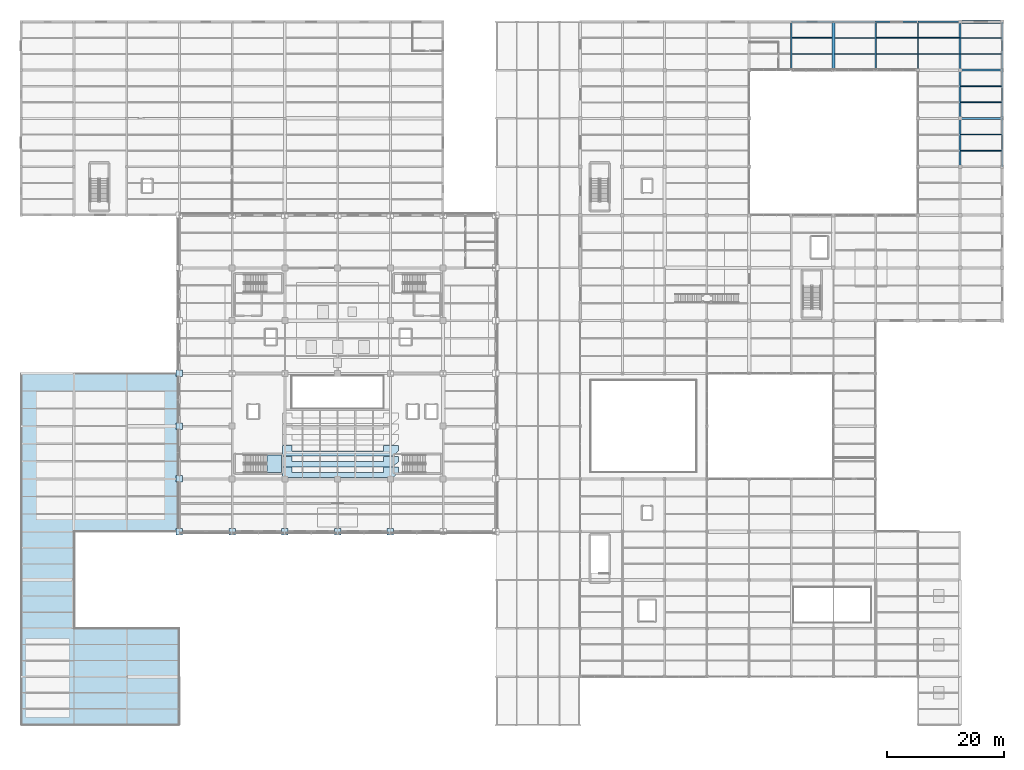
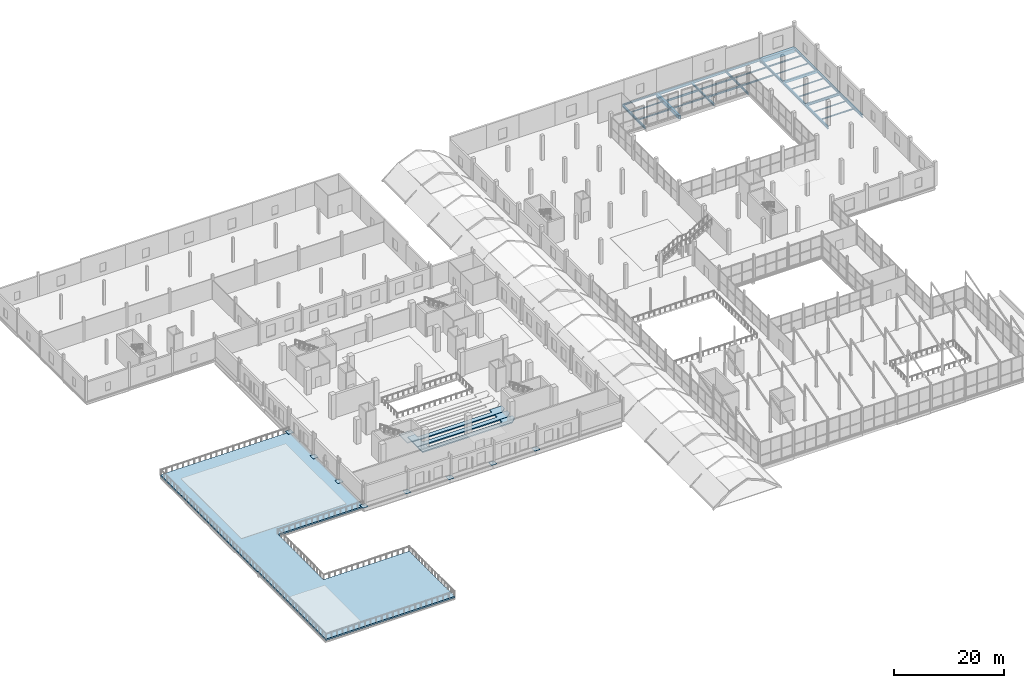
# One storey, part 99 of 141: 31 beams, 8 plates, 5 slabs, 1 element without a shape of its own.
"""IFC4 building model written with IfcOpenShell, lengths in metres."""

from ifc_helpers import new_model, si_unit, direction, frame, origin, origin_2d, place, context, subcontext, project, spatial, polyline, rectangle, i_section, outline, extrude, material, layer, layer_set, material_profile, profile_set, type_object, element, aggregate, save


model = new_model("IFC4")

# Units and contexts
model_context = context("Model", 3, precision=1e-05, world=origin(), true_north=direction((0.0, 1.0)))
body_context = subcontext(model_context, "Body", "Model", "MODEL_VIEW")
ifc_project = project(units=[si_unit("LENGTHUNIT", "METRE"), si_unit("AREAUNIT", "SQUARE_METRE"), si_unit("VOLUMEUNIT", "CUBIC_METRE"), si_unit("PLANEANGLEUNIT", "RADIAN"), si_unit("MASSUNIT", "GRAM", prefix="KILO")], contexts=[model_context])

# Site, building, storey
site_placement = place(None, origin())
site = spatial("IfcSite", under=ifc_project, at=site_placement, CompositionType="ELEMENT")
building_placement = place(site_placement, origin())
building = spatial("IfcBuilding", under=site, at=building_placement, Name="Sundgate Opera House", CompositionType="ELEMENT")
storey_placement = place(building_placement, frame((0.0, 0.0, 11.39990234375)))
storey = spatial("IfcBuildingStorey", under=building, at=storey_placement, Name="L02", CompositionType="ELEMENT", Elevation=11.39990234375)

# Beams
ifc_material_1 = material(Name="Steel S355J2", Category="steel")
ifc_material_profile_1 = material_profile(ifc_material_1, i_section(OverallWidth=0.300048828125, OverallDepth=0.330078125, WebThickness=0.009521484375, FlangeThickness=0.0166015625, at=origin_2d()), Name="HEA 340")
ifc_profile_set_1 = profile_set([ifc_material_profile_1], Name="Steel S355J2")
beam_type_1 = type_object("IfcBeamType", Name="BM-GR-HEA340", PredefinedType="BEAM", material=ifc_profile_set_1)
beam_1_placement = place(storey_placement, frame((131.39990234375, 120.0, -0.514892578125), z_axis=(1.0, 0.0, 0.0), x_axis=(0.0, 1.0, 0.0)))
element("IfcBeam", 1, at=beam_1_placement, inside=storey, type_object=beam_type_1, Name="L02 Primary E-W Girder B2126", PredefinedType="BEAM", context=body_context, shape_type="SweptSolid", body=[
    extrude(i_section(OverallWidth=0.300048828125, OverallDepth=0.330078125, WebThickness=0.009521484375, FlangeThickness=0.0166015625, at=origin_2d()), origin(), (0.0, 0.0, 1.0), 7.2001953125),
])
ifc_material_2 = material(Name="Steel S355J2", Category="steel")
ifc_material_profile_2 = material_profile(ifc_material_2, i_section(OverallWidth=0.300048828125, OverallDepth=0.43994140625, WebThickness=0.011474609375, FlangeThickness=0.02099609375, at=origin_2d()), Name="HEA 450")
ifc_profile_set_2 = profile_set([ifc_material_profile_2], Name="Steel S355J2")
beam_type_2 = type_object("IfcBeamType", Name="BM-GR-HEA450", PredefinedType="BEAM", material=ifc_profile_set_2)
beam_2_placement = place(storey_placement, frame((167.39990234375, 111.75, -0.56982421875), z_axis=(0.0, 1.0, 0.0), x_axis=(-1.0, 0.0, 0.0)))
element("IfcBeam", 2, at=beam_2_placement, inside=storey, type_object=beam_type_2, Name="L02 Primary N-S Girder B1955", PredefinedType="BEAM", context=body_context, shape_type="SweptSolid", body=[
    extrude(i_section(OverallWidth=0.300048828125, OverallDepth=0.43994140625, WebThickness=0.011474609375, FlangeThickness=0.02099609375, at=origin_2d()), origin(), (0.0, 0.0, 1.0), 8.25),
])
ifc_material_3 = material(Name="Steel S355J2", Category="steel")
ifc_material_profile_3 = material_profile(ifc_material_3, i_section(OverallWidth=0.300048828125, OverallDepth=0.489990234375, WebThickness=0.011962890625, FlangeThickness=0.02294921875, at=origin_2d()), Name="HEA 500")
ifc_profile_set_3 = profile_set([ifc_material_profile_3], Name="Steel S355J2")
beam_type_3 = type_object("IfcBeamType", Name="BM-GR-HEA500", PredefinedType="BEAM", material=ifc_profile_set_3)
for number, where, z_axis, x_axis, name in (
    (3, (131.39990234375, 111.75, -0.594970703125), (0.0, 1.0, 0.0), (-1.0, 0.0, 0.0), "L02 Primary N-S Girder B1910"),
    (4, (167.39990234375, 103.5, -0.594970703125), (0.0, 1.0, 0.0), (-1.0, 0.0, 0.0), "L02 Primary N-S Girder B1954"),
):
    element("IfcBeam", number, at=place(storey_placement, frame(where, z_axis=z_axis, x_axis=x_axis)), inside=storey, type_object=beam_type_3, Name=name, PredefinedType="BEAM", context=body_context, shape_type="SweptSolid", body=[
        extrude(i_section(OverallWidth=0.300048828125, OverallDepth=0.489990234375, WebThickness=0.011962890625, FlangeThickness=0.02294921875, at=origin_2d()), origin(), (0.0, 0.0, 1.0), 8.25),
    ])
ifc_material_4 = material(Name="Steel S355J2", Category="steel")
ifc_material_profile_4 = material_profile(ifc_material_4, i_section(OverallWidth=0.300048828125, OverallDepth=0.590087890625, WebThickness=0.012939453125, FlangeThickness=0.02490234375, at=origin_2d()), Name="HEA 600")
ifc_profile_set_4 = profile_set([ifc_material_profile_4], Name="Steel S355J2")
beam_type_4 = type_object("IfcBeamType", Name="BM-GR-HEA600", PredefinedType="BEAM", material=ifc_profile_set_4)
beam_3_placement = place(storey_placement, frame((167.39990234375, 95.25, -0.64501953125), z_axis=(0.0, 1.0, 0.0), x_axis=(-1.0, 0.0, 0.0)))
element("IfcBeam", 5, at=beam_3_placement, inside=storey, type_object=beam_type_4, Name="L02 Primary N-S Girder B1953", PredefinedType="BEAM", context=body_context, shape_type="SweptSolid", body=[
    extrude(i_section(OverallWidth=0.300048828125, OverallDepth=0.590087890625, WebThickness=0.012939453125, FlangeThickness=0.02490234375, at=origin_2d()), origin(), (0.0, 0.0, 1.0), 8.25),
])
ifc_material_5 = material(Name="Steel S355J2", Category="steel")
ifc_material_profile_5 = material_profile(ifc_material_5, i_section(OverallWidth=0.300048828125, OverallDepth=0.39990234375, WebThickness=0.013427734375, FlangeThickness=0.02392578125, at=origin_2d()), Name="HEB 400")
ifc_profile_set_5 = profile_set([ifc_material_profile_5], Name="Steel S355J2")
beam_type_5 = type_object("IfcBeamType", Name="BM-GR-HEB400", PredefinedType="BEAM", material=ifc_profile_set_5)
beam_4_placement = place(storey_placement, frame((145.800048828125, 111.75, -0.5498046875), z_axis=(0.0, 1.0, 0.0), x_axis=(-1.0, 0.0, 0.0)))
element("IfcBeam", 6, at=beam_4_placement, inside=storey, type_object=beam_type_5, Name="L02 Primary N-S Girder B1929", PredefinedType="BEAM", context=body_context, shape_type="SweptSolid", body=[
    extrude(i_section(OverallWidth=0.300048828125, OverallDepth=0.39990234375, WebThickness=0.013427734375, FlangeThickness=0.02392578125, at=origin_2d()), origin(), (0.0, 0.0, 1.0), 8.25),
])
ifc_material_6 = material(Name="Steel S355J2", Category="steel")
ifc_material_profile_6 = material_profile(ifc_material_6, i_section(OverallWidth=0.300048828125, OverallDepth=0.5, WebThickness=0.014404296875, FlangeThickness=0.028076171875, at=origin_2d()), Name="HEB 500")
ifc_profile_set_6 = profile_set([ifc_material_profile_6], Name="Steel S355J2")
beam_type_6 = type_object("IfcBeamType", Name="BM-GR-HEB500", PredefinedType="BEAM", material=ifc_profile_set_6)
beam_5_placement = place(storey_placement, frame((160.199951171875, 111.75, -0.599853515625), z_axis=(0.0, 1.0, 0.0), x_axis=(-1.0, 0.0, 0.0)))
element("IfcBeam", 7, at=beam_5_placement, inside=storey, type_object=beam_type_6, Name="L02 Primary N-S Girder B1949", PredefinedType="BEAM", context=body_context, shape_type="SweptSolid", body=[
    extrude(i_section(OverallWidth=0.300048828125, OverallDepth=0.5, WebThickness=0.014404296875, FlangeThickness=0.028076171875, at=origin_2d()), origin(), (0.0, 0.0, 1.0), 8.25),
])
ifc_material_7 = material(Name="Steel S355J2", Category="steel")
ifc_material_profile_7 = material_profile(ifc_material_7, i_section(OverallWidth=0.300048828125, OverallDepth=0.550048828125, WebThickness=0.014892578125, FlangeThickness=0.029052734375, at=origin_2d()), Name="HEB 550")
ifc_profile_set_7 = profile_set([ifc_material_profile_7], Name="Steel S355J2")
beam_type_7 = type_object("IfcBeamType", Name="BM-GR-HEB550", PredefinedType="BEAM", material=ifc_profile_set_7)
beam_6_placement = place(storey_placement, frame((160.199951171875, 103.5, -0.625), z_axis=(0.0, 1.0, 0.0), x_axis=(-1.0, 0.0, 0.0)))
element("IfcBeam", 8, at=beam_6_placement, inside=storey, type_object=beam_type_7, Name="L02 Primary N-S Girder B1948", PredefinedType="BEAM", context=body_context, shape_type="SweptSolid", body=[
    extrude(i_section(OverallWidth=0.300048828125, OverallDepth=0.550048828125, WebThickness=0.014892578125, FlangeThickness=0.029052734375, at=origin_2d()), origin(), (0.0, 0.0, 1.0), 8.25),
])
beam_7_placement = place(storey_placement, frame((160.199951171875, 103.5, -0.625), z_axis=(1.0, 0.0, 0.0), x_axis=(0.0, 1.0, 0.0)))
element("IfcBeam", 9, at=beam_7_placement, inside=storey, type_object=beam_type_7, Name="L02 Primary E-W Girder B2094", PredefinedType="BEAM", context=body_context, shape_type="SweptSolid", body=[
    extrude(i_section(OverallWidth=0.300048828125, OverallDepth=0.550048828125, WebThickness=0.014892578125, FlangeThickness=0.029052734375, at=origin_2d()), origin(), (0.0, 0.0, 1.0), 7.199951171875),
])
ifc_material_8 = material(Name="Steel S355J2", Category="steel")
ifc_material_profile_8 = material_profile(ifc_material_8, i_section(OverallWidth=0.300048828125, OverallDepth=0.60009765625, WebThickness=0.015380859375, FlangeThickness=0.030029296875, at=origin_2d()), Name="HEB 600")
ifc_profile_set_8 = profile_set([ifc_material_profile_8], Name="Steel S355J2")
beam_type_8 = type_object("IfcBeamType", Name="BM-GR-HEB600", PredefinedType="BEAM", material=ifc_profile_set_8)
beam_8_placement = place(storey_placement, frame((160.199951171875, 95.25, -0.64990234375), z_axis=(0.0, 1.0, 0.0), x_axis=(-1.0, 0.0, 0.0)))
element("IfcBeam", 10, at=beam_8_placement, inside=storey, type_object=beam_type_8, Name="L02 Primary N-S Girder B1947", PredefinedType="BEAM", context=body_context, shape_type="SweptSolid", body=[
    extrude(i_section(OverallWidth=0.300048828125, OverallDepth=0.60009765625, WebThickness=0.015380859375, FlangeThickness=0.030029296875, at=origin_2d()), origin(), (0.0, 0.0, 1.0), 8.25),
])
ifc_material_9 = material(Name="Steel S355J2", Category="steel")
ifc_material_profile_9 = material_profile(ifc_material_9, i_section(OverallWidth=0.199951171875, OverallDepth=0.5, WebThickness=0.01025390625, FlangeThickness=0.01611328125, at=origin_2d()), Name="IPE 500")
ifc_profile_set_9 = profile_set([ifc_material_profile_9], Name="Steel S355J2")
beam_type_9 = type_object("IfcBeamType", Name="BM-GR-IPE500", PredefinedType="BEAM", material=ifc_profile_set_9)
beam_9_placement = place(storey_placement, frame((153.0, 111.75, -0.599853515625), z_axis=(0.0, 1.0, 0.0), x_axis=(-1.0, 0.0, 0.0)))
element("IfcBeam", 11, at=beam_9_placement, inside=storey, type_object=beam_type_9, Name="L02 Primary N-S Girder B1939", PredefinedType="BEAM", context=body_context, shape_type="SweptSolid", body=[
    extrude(i_section(OverallWidth=0.199951171875, OverallDepth=0.5, WebThickness=0.01025390625, FlangeThickness=0.01611328125, at=origin_2d()), origin(), (0.0, 0.0, 1.0), 8.25),
])
beam_10_placement = place(storey_placement, frame((153.0, 120.0, -0.599853515625), z_axis=(1.0, 0.0, 0.0), x_axis=(0.0, 1.0, 0.0)))
element("IfcBeam", 12, at=beam_10_placement, inside=storey, type_object=beam_type_9, Name="L02 Primary E-W Girder B2129", PredefinedType="BEAM", context=body_context, shape_type="SweptSolid", body=[
    extrude(i_section(OverallWidth=0.199951171875, OverallDepth=0.5, WebThickness=0.01025390625, FlangeThickness=0.01611328125, at=origin_2d()), origin(), (0.0, 0.0, 1.0), 7.199951171875),
])
ifc_material_10 = material(Name="Steel S355J2", Category="steel")
ifc_material_profile_10 = material_profile(ifc_material_10, i_section(OverallWidth=0.2099609375, OverallDepth=0.550048828125, WebThickness=0.010986328125, FlangeThickness=0.01708984375, at=origin_2d()), Name="IPE 550")
ifc_profile_set_10 = profile_set([ifc_material_profile_10], Name="Steel S355J2")
beam_type_10 = type_object("IfcBeamType", Name="BM-GR-IPE550", PredefinedType="BEAM", material=ifc_profile_set_10)
beam_11_placement = place(storey_placement, frame((145.800048828125, 120.0, -0.625), z_axis=(1.0, 0.0, 0.0), x_axis=(0.0, 1.0, 0.0)))
element("IfcBeam", 13, at=beam_11_placement, inside=storey, type_object=beam_type_10, Name="L02 Primary E-W Girder B2128", PredefinedType="BEAM", context=body_context, shape_type="SweptSolid", body=[
    extrude(i_section(OverallWidth=0.2099609375, OverallDepth=0.550048828125, WebThickness=0.010986328125, FlangeThickness=0.01708984375, at=origin_2d()), origin(), (0.0, 0.0, 1.0), 7.199951171875),
])
ifc_material_11 = material(Name="Steel S355J2", Category="steel")
ifc_material_profile_11 = material_profile(ifc_material_11, i_section(OverallWidth=0.219970703125, OverallDepth=0.60009765625, WebThickness=0.011962890625, FlangeThickness=0.01904296875, at=origin_2d()), Name="IPE 600")
ifc_profile_set_11 = profile_set([ifc_material_profile_11], Name="Steel S355J2")
beam_type_11 = type_object("IfcBeamType", Name="BM-GR-IPE600", PredefinedType="BEAM", material=ifc_profile_set_11)
beam_12_placement = place(storey_placement, frame((138.60009765625, 120.0, -0.64990234375), z_axis=(1.0, 0.0, 0.0), x_axis=(0.0, 1.0, 0.0)))
element("IfcBeam", 14, at=beam_12_placement, inside=storey, type_object=beam_type_11, Name="L02 Primary E-W Girder B2127", PredefinedType="BEAM", context=body_context, shape_type="SweptSolid", body=[
    extrude(i_section(OverallWidth=0.219970703125, OverallDepth=0.60009765625, WebThickness=0.011962890625, FlangeThickness=0.01904296875, at=origin_2d()), origin(), (0.0, 0.0, 1.0), 7.199951171875),
])
ifc_material_12 = material(Name="Steel S355J2", Category="steel")
ifc_material_profile_12 = material_profile(ifc_material_12, i_section(OverallWidth=0.1201171875, OverallDepth=0.239990234375, WebThickness=0.006103515625, FlangeThickness=0.009765625, at=origin_2d()), Name="IPE 240")
ifc_profile_set_12 = profile_set([ifc_material_profile_12], Name="Steel S355J2")
beam_type_12 = type_object("IfcBeamType", Name="BM-JS-IPE240", PredefinedType="JOIST", material=ifc_profile_set_12)
beam_13_placement = place(storey_placement, frame((138.85009765625, 114.5, -0.469970703125), z_axis=(1.0, 0.0, 0.0), x_axis=(0.0, 1.0, 0.0)))
element("IfcBeam", 15, at=beam_13_placement, inside=storey, type_object=beam_type_12, Name="L02 Secondary Floor Joist B2443", PredefinedType="JOIST", context=body_context, shape_type="SweptSolid", body=[
    extrude(i_section(OverallWidth=0.1201171875, OverallDepth=0.239990234375, WebThickness=0.006103515625, FlangeThickness=0.009765625, at=origin_2d()), origin(), (0.0, 0.0, 1.0), 6.7998046875),
])
beam_14_placement = place(storey_placement, frame((160.35009765625, 117.25, -0.469970703125), z_axis=(1.0, 0.0, 0.0), x_axis=(0.0, 1.0, 0.0)))
element("IfcBeam", 16, at=beam_14_placement, inside=storey, type_object=beam_type_12, Name="L02 Secondary Floor Joist B2450", PredefinedType="JOIST", context=body_context, shape_type="SweptSolid", body=[
    extrude(i_section(OverallWidth=0.1201171875, OverallDepth=0.239990234375, WebThickness=0.006103515625, FlangeThickness=0.009765625, at=origin_2d()), origin(), (0.0, 0.0, 1.0), 6.89990234375),
])
ifc_material_13 = material(Name="Steel S355J2", Category="steel")
ifc_material_profile_13 = material_profile(ifc_material_13, i_section(OverallWidth=0.135009765625, OverallDepth=0.27001953125, WebThickness=0.006591796875, FlangeThickness=0.01025390625, at=origin_2d()), Name="IPE 270")
ifc_profile_set_13 = profile_set([ifc_material_profile_13], Name="Steel S355J2")
beam_type_13 = type_object("IfcBeamType", Name="BM-JS-IPE270", PredefinedType="JOIST", material=ifc_profile_set_13)
for number, where, z_axis, x_axis, name in (
    (17, (160.35009765625, 100.75, -0.48486328125), (1.0, 0.0, 0.0), (0.0, 1.0, 0.0), "L02 Secondary Floor Joist B2386"),
    (18, (160.35009765625, 109.0, -0.48486328125), (1.0, 0.0, 0.0), (0.0, 1.0, 0.0), "L02 Secondary Floor Joist B2414"),
):
    element("IfcBeam", number, at=place(storey_placement, frame(where, z_axis=z_axis, x_axis=x_axis)), inside=storey, type_object=beam_type_13, Name=name, PredefinedType="JOIST", context=body_context, shape_type="SweptSolid", body=[
        extrude(i_section(OverallWidth=0.135009765625, OverallDepth=0.27001953125, WebThickness=0.006591796875, FlangeThickness=0.01025390625, at=origin_2d()), origin(), (0.0, 0.0, 1.0), 6.89990234375),
    ])
beam_15_placement = place(storey_placement, frame((131.550048828125, 117.25, -0.48486328125), z_axis=(1.0, 0.0, 0.0), x_axis=(0.0, 1.0, 0.0)))
element("IfcBeam", 19, at=beam_15_placement, inside=storey, type_object=beam_type_13, Name="L02 Secondary Floor Joist B2442", PredefinedType="JOIST", context=body_context, shape_type="SweptSolid", body=[
    extrude(i_section(OverallWidth=0.135009765625, OverallDepth=0.27001953125, WebThickness=0.006591796875, FlangeThickness=0.01025390625, at=origin_2d()), origin(), (0.0, 0.0, 1.0), 6.800048828125),
])
beam_16_placement = place(storey_placement, frame((160.35009765625, 114.5, -0.48486328125), z_axis=(1.0, 0.0, 0.0), x_axis=(0.0, 1.0, 0.0)))
element("IfcBeam", 20, at=beam_16_placement, inside=storey, type_object=beam_type_13, Name="L02 Secondary Floor Joist B2449", PredefinedType="JOIST", context=body_context, shape_type="SweptSolid", body=[
    extrude(i_section(OverallWidth=0.135009765625, OverallDepth=0.27001953125, WebThickness=0.006591796875, FlangeThickness=0.01025390625, at=origin_2d()), origin(), (0.0, 0.0, 1.0), 6.89990234375),
])
ifc_material_14 = material(Name="Steel S355J2", Category="steel")
ifc_material_profile_14 = material_profile(ifc_material_14, i_section(OverallWidth=0.14990234375, OverallDepth=0.300048828125, WebThickness=0.007080078125, FlangeThickness=0.0107421875, at=origin_2d()), Name="IPE 300")
ifc_profile_set_14 = profile_set([ifc_material_profile_14], Name="Steel S355J2")
beam_type_14 = type_object("IfcBeamType", Name="BM-JS-IPE300", PredefinedType="JOIST", material=ifc_profile_set_14)
for number, where, z_axis, x_axis, name in (
    (21, (160.35009765625, 98.0, -0.5), (1.0, 0.0, 0.0), (0.0, 1.0, 0.0), "L02 Secondary Floor Joist B2385"),
    (22, (160.35009765625, 106.25, -0.5), (1.0, 0.0, 0.0), (0.0, 1.0, 0.0), "L02 Secondary Floor Joist B2413"),
):
    element("IfcBeam", number, at=place(storey_placement, frame(where, z_axis=z_axis, x_axis=x_axis)), inside=storey, type_object=beam_type_14, Name=name, PredefinedType="JOIST", context=body_context, shape_type="SweptSolid", body=[
        extrude(i_section(OverallWidth=0.14990234375, OverallDepth=0.300048828125, WebThickness=0.007080078125, FlangeThickness=0.0107421875, at=origin_2d()), origin(), (0.0, 0.0, 1.0), 6.89990234375),
    ])
beam_17_placement = place(storey_placement, frame((131.550048828125, 114.5, -0.5), z_axis=(1.0, 0.0, 0.0), x_axis=(0.0, 1.0, 0.0)))
element("IfcBeam", 23, at=beam_17_placement, inside=storey, type_object=beam_type_14, Name="L02 Secondary Floor Joist B2441", PredefinedType="JOIST", context=body_context, shape_type="SweptSolid", body=[
    extrude(i_section(OverallWidth=0.14990234375, OverallDepth=0.300048828125, WebThickness=0.007080078125, FlangeThickness=0.0107421875, at=origin_2d()), origin(), (0.0, 0.0, 1.0), 6.800048828125),
])
beam_18_placement = place(storey_placement, frame((153.10009765625, 117.25, -0.5), z_axis=(1.0, 0.0, 0.0), x_axis=(0.0, 1.0, 0.0)))
element("IfcBeam", 24, at=beam_18_placement, inside=storey, type_object=beam_type_14, Name="L02 Secondary Floor Joist B2448", PredefinedType="JOIST", context=body_context, shape_type="SweptSolid", body=[
    extrude(i_section(OverallWidth=0.14990234375, OverallDepth=0.300048828125, WebThickness=0.007080078125, FlangeThickness=0.0107421875, at=origin_2d()), origin(), (0.0, 0.0, 1.0), 6.949951171875),
])
ifc_material_15 = material(Name="Steel S355J2", Category="steel")
ifc_material_profile_15 = material_profile(ifc_material_15, i_section(OverallWidth=0.159912109375, OverallDepth=0.330078125, WebThickness=0.007568359375, FlangeThickness=0.011474609375, at=origin_2d()), Name="IPE 330")
ifc_profile_set_15 = profile_set([ifc_material_profile_15], Name="Steel S355J2")
beam_type_15 = type_object("IfcBeamType", Name="BM-JS-IPE330", PredefinedType="JOIST", material=ifc_profile_set_15)
beam_19_placement = place(storey_placement, frame((153.10009765625, 114.5, -0.514892578125), z_axis=(1.0, 0.0, 0.0), x_axis=(0.0, 1.0, 0.0)))
element("IfcBeam", 25, at=beam_19_placement, inside=storey, type_object=beam_type_15, Name="L02 Secondary Floor Joist B2447", PredefinedType="JOIST", context=body_context, shape_type="SweptSolid", body=[
    extrude(i_section(OverallWidth=0.159912109375, OverallDepth=0.330078125, WebThickness=0.007568359375, FlangeThickness=0.011474609375, at=origin_2d()), origin(), (0.0, 0.0, 1.0), 6.949951171875),
])
ifc_material_16 = material(Name="Steel S355J2", Category="steel")
ifc_material_profile_16 = material_profile(ifc_material_16, i_section(OverallWidth=0.169921875, OverallDepth=0.360107421875, WebThickness=0.008056640625, FlangeThickness=0.0126953125, at=origin_2d()), Name="IPE 360")
ifc_profile_set_16 = profile_set([ifc_material_profile_16], Name="Steel S355J2")
beam_type_16 = type_object("IfcBeamType", Name="BM-JS-IPE360", PredefinedType="JOIST", material=ifc_profile_set_16)
beam_20_placement = place(storey_placement, frame((145.949951171875, 117.25, -0.52978515625), z_axis=(1.0, 0.0, 0.0), x_axis=(0.0, 1.0, 0.0)))
element("IfcBeam", 26, at=beam_20_placement, inside=storey, type_object=beam_type_16, Name="L02 Secondary Floor Joist B2446", PredefinedType="JOIST", context=body_context, shape_type="SweptSolid", body=[
    extrude(i_section(OverallWidth=0.169921875, OverallDepth=0.360107421875, WebThickness=0.008056640625, FlangeThickness=0.0126953125, at=origin_2d()), origin(), (0.0, 0.0, 1.0), 6.949951171875),
])
ifc_material_17 = material(Name="Steel S355J2", Category="steel")
ifc_material_profile_17 = material_profile(ifc_material_17, i_section(OverallWidth=0.179931640625, OverallDepth=0.39990234375, WebThickness=0.008544921875, FlangeThickness=0.013427734375, at=origin_2d()), Name="IPE 400")
ifc_profile_set_17 = profile_set([ifc_material_profile_17], Name="Steel S355J2")
beam_type_17 = type_object("IfcBeamType", Name="BM-JS-IPE400", PredefinedType="JOIST", material=ifc_profile_set_17)
beam_21_placement = place(storey_placement, frame((145.949951171875, 114.5, -0.5498046875), z_axis=(1.0, 0.0, 0.0), x_axis=(0.0, 1.0, 0.0)))
element("IfcBeam", 27, at=beam_21_placement, inside=storey, type_object=beam_type_17, Name="L02 Secondary Floor Joist B2445", PredefinedType="JOIST", context=body_context, shape_type="SweptSolid", body=[
    extrude(i_section(OverallWidth=0.179931640625, OverallDepth=0.39990234375, WebThickness=0.008544921875, FlangeThickness=0.013427734375, at=origin_2d()), origin(), (0.0, 0.0, 1.0), 6.949951171875),
])
ifc_material_18 = material(Name="Steel S355J2", Category="steel")
ifc_material_profile_18 = material_profile(ifc_material_18, i_section(OverallWidth=0.18994140625, OverallDepth=0.449951171875, WebThickness=0.009521484375, FlangeThickness=0.0146484375, at=origin_2d()), Name="IPE 450")
ifc_profile_set_18 = profile_set([ifc_material_profile_18], Name="Steel S355J2")
beam_type_18 = type_object("IfcBeamType", Name="BM-JS-IPE450", PredefinedType="JOIST", material=ifc_profile_set_18)
beam_22_placement = place(storey_placement, frame((138.85009765625, 117.25, -0.574951171875), z_axis=(1.0, 0.0, 0.0), x_axis=(0.0, 1.0, 0.0)))
element("IfcBeam", 28, at=beam_22_placement, inside=storey, type_object=beam_type_18, Name="L02 Secondary Floor Joist B2444", PredefinedType="JOIST", context=body_context, shape_type="SweptSolid", body=[
    extrude(i_section(OverallWidth=0.18994140625, OverallDepth=0.449951171875, WebThickness=0.009521484375, FlangeThickness=0.0146484375, at=origin_2d()), origin(), (0.0, 0.0, 1.0), 6.7998046875),
])
ifc_material_19 = material(Name="Concrete C35/45", Category="concrete")
ifc_material_profile_19 = material_profile(ifc_material_19, rectangle(XDim=0.35009765625, YDim=0.550048828125, at=origin_2d()), Name="RC 350x550")
ifc_profile_set_19 = profile_set([ifc_material_profile_19], Name="Concrete C35/45")
beam_type_19 = type_object("IfcBeamType", Name="BM-RC-350x550", PredefinedType="BEAM", material=ifc_profile_set_19)
beam_23_placement = place(storey_placement, frame((160.199951171875, 111.75, -0.625), z_axis=(1.0, 0.0, 0.0), x_axis=(0.0, 1.0, 0.0)))
element("IfcBeam", 29, at=beam_23_placement, inside=storey, type_object=beam_type_19, Name="L02 Primary E-W Girder B2112", PredefinedType="BEAM", context=body_context, shape_type="SweptSolid", body=[
    extrude(rectangle(XDim=0.35009765625, YDim=0.550048828125, at=origin_2d()), origin(), (0.0, 0.0, 1.0), 7.199951171875),
])
ifc_material_20 = material(Name="Concrete C40/50", Category="concrete")
ifc_material_profile_20 = material_profile(ifc_material_20, rectangle(XDim=0.5, YDim=0.75, at=origin_2d()), Name="RC 500x750")
ifc_profile_set_20 = profile_set([ifc_material_profile_20], Name="Concrete C40/50")
beam_type_20 = type_object("IfcBeamType", Name="BM-RC-500x750", PredefinedType="BEAM", material=ifc_profile_set_20)
beam_24_placement = place(storey_placement, frame((138.60009765625, 111.75, -0.724853515625), z_axis=(0.0, 1.0, 0.0), x_axis=(-1.0, 0.0, 0.0)))
element("IfcBeam", 30, at=beam_24_placement, inside=storey, type_object=beam_type_20, Name="L02 Primary N-S Girder B1919", PredefinedType="BEAM", context=body_context, shape_type="SweptSolid", body=[
    extrude(rectangle(XDim=0.5, YDim=0.75, at=origin_2d()), origin(), (0.0, 0.0, 1.0), 8.25),
])
ifc_material_21 = material(Name="Concrete C40/50", Category="concrete")
ifc_material_profile_21 = material_profile(ifc_material_21, rectangle(XDim=0.60009765625, YDim=0.949951171875, at=origin_2d()), Name="RC 600x950")
ifc_profile_set_21 = profile_set([ifc_material_profile_21], Name="Concrete C40/50")
beam_type_21 = type_object("IfcBeamType", Name="BM-RC-600x950", PredefinedType="BEAM", material=ifc_profile_set_21)
beam_25_placement = place(storey_placement, frame((160.199951171875, 120.0, -0.824951171875), z_axis=(1.0, 0.0, 0.0), x_axis=(0.0, 1.0, 0.0)))
element("IfcBeam", 31, at=beam_25_placement, inside=storey, type_object=beam_type_21, Name="L02 Primary E-W Girder B2130", PredefinedType="BEAM", context=body_context, shape_type="SweptSolid", body=[
    extrude(rectangle(XDim=0.60009765625, YDim=0.949951171875, at=origin_2d()), origin(), (0.0, 0.0, 1.0), 7.199951171875),
])

# Plates
ifc_material_22 = material(Name="Steel S355J2", Category="steel")
ifc_layer_1 = layer(ifc_material_22, 0.035888671875)
ifc_layer_set_1 = layer_set([ifc_layer_1], Name="Steel S355J2")
plate_type_1 = type_object("IfcPlateType", Name="PT-BAS-36", PredefinedType="USERDEFINED", material=ifc_layer_set_1)
plate_1_placement = place(storey_placement, frame((27.0, 33.0, 0.0), z_axis=(0.0, 0.0, 1.0), x_axis=(1.0, 0.0, 0.0)))
element("IfcPlate", 32, at=plate_1_placement, inside=storey, type_object=plate_type_1, Name="L02 Base Plate PT0009", ObjectType="BASE PLATE", PredefinedType="USERDEFINED", context=body_context, shape_type="SweptSolid", body=[
    extrude(rectangle(XDim=1.139892578125, YDim=1.139892578125, at=origin_2d()), origin(), (0.0, 0.0, 1.0), 0.035888671875),
])
ifc_material_23 = material(Name="Steel S355J2", Category="steel")
ifc_layer_2 = layer(ifc_material_23, 0.0400390625)
ifc_layer_set_2 = layer_set([ifc_layer_2], Name="Steel S355J2")
plate_type_2 = type_object("IfcPlateType", Name="PT-BAS-40", PredefinedType="USERDEFINED", material=ifc_layer_set_2)
for number, where, z_axis, x_axis, name in (
    (33, (27.0, 42.0, 0.0), (0.0, 0.0, 1.0), (1.0, 0.0, 0.0), "L02 Base Plate PT0013"),
    (34, (36.0, 33.0, 0.0), (0.0, 0.0, 1.0), (1.0, 0.0, 0.0), "L02 Base Plate PT0044"),
):
    element("IfcPlate", number, at=place(storey_placement, frame(where, z_axis=z_axis, x_axis=x_axis)), inside=storey, type_object=plate_type_2, Name=name, ObjectType="BASE PLATE", PredefinedType="USERDEFINED", context=body_context, shape_type="SweptSolid", body=[
        extrude(rectangle(XDim=1.139892578125, YDim=1.139892578125, at=origin_2d()), origin(), (0.0, 0.0, 1.0), 0.0400390625),
    ])
ifc_material_24 = material(Name="Steel S355J2", Category="steel")
ifc_layer_3 = layer(ifc_material_24, 0.044921875)
ifc_layer_set_3 = layer_set([ifc_layer_3], Name="Steel S355J2")
plate_type_3 = type_object("IfcPlateType", Name="PT-BAS-45", PredefinedType="USERDEFINED", material=ifc_layer_set_3)
for number, where, z_axis, x_axis, name in (
    (35, (27.0, 51.0, 0.000244140625), (0.0, 0.0, 1.0), (1.0, 0.0, 0.0), "L02 Base Plate PT0017"),
    (36, (45.0, 33.0, 0.000244140625), (0.0, 0.0, 1.0), (1.0, 0.0, 0.0), "L02 Base Plate PT0062"),
):
    element("IfcPlate", number, at=place(storey_placement, frame(where, z_axis=z_axis, x_axis=x_axis)), inside=storey, type_object=plate_type_3, Name=name, ObjectType="BASE PLATE", PredefinedType="USERDEFINED", context=body_context, shape_type="SweptSolid", body=[
        extrude(rectangle(XDim=1.139892578125, YDim=1.139892578125, at=origin_2d()), origin(), (0.0, 0.0, 1.0), 0.044921875),
    ])
ifc_material_25 = material(Name="Steel S355J2", Category="steel")
ifc_layer_4 = layer(ifc_material_25, 0.050048828125)
ifc_layer_set_4 = layer_set([ifc_layer_4], Name="Steel S355J2")
plate_type_4 = type_object("IfcPlateType", Name="PT-BAS-50", PredefinedType="USERDEFINED", material=ifc_layer_set_4)
for number, where, z_axis, x_axis, name in (
    (37, (27.0, 60.0, 0.0), (0.0, 0.0, 1.0), (1.0, 0.0, 0.0), "L02 Base Plate PT0021"),
    (38, (54.0, 33.0, 0.0), (0.0, 0.0, 1.0), (1.0, 0.0, 0.0), "L02 Base Plate PT0080"),
):
    element("IfcPlate", number, at=place(storey_placement, frame(where, z_axis=z_axis, x_axis=x_axis)), inside=storey, type_object=plate_type_4, Name=name, ObjectType="BASE PLATE", PredefinedType="USERDEFINED", context=body_context, shape_type="SweptSolid", body=[
        extrude(rectangle(XDim=1.139892578125, YDim=1.139892578125, at=origin_2d()), origin(), (0.0, 0.0, 1.0), 0.050048828125),
    ])
ifc_material_26 = material(Name="Steel S355J2", Category="steel")
ifc_layer_5 = layer(ifc_material_26, 0.068115234375)
ifc_layer_set_5 = layer_set([ifc_layer_5], Name="Steel S355J2")
plate_type_5 = type_object("IfcPlateType", Name="PT-BAS-68", PredefinedType="USERDEFINED", material=ifc_layer_set_5)
plate_2_placement = place(storey_placement, frame((63.0, 33.0, 0.0), z_axis=(0.0, 0.0, 1.0), x_axis=(1.0, 0.0, 0.0)))
element("IfcPlate", 39, at=plate_2_placement, inside=storey, type_object=plate_type_5, Name="L02 Base Plate PT0096", ObjectType="BASE PLATE", PredefinedType="USERDEFINED", context=body_context, shape_type="SweptSolid", body=[
    extrude(rectangle(XDim=1.139892578125, YDim=1.139892578125, at=origin_2d()), origin(), (0.0, 0.0, 1.0), 0.068115234375),
])

# Slab
ifc_material_27 = material(Name="Concrete C40/50", Category="concrete")
ifc_layer_6 = layer(ifc_material_27, 0.330078125)
ifc_layer_set_6 = layer_set([ifc_layer_6], Name="Concrete C40/50")
slab_type_1 = type_object("IfcSlabType", Name="SL-EXT-330", PredefinedType="FLOOR", material=ifc_layer_set_6)
slab_1_placement = place(storey_placement, frame((0.0, 0.0, -0.329833984375)))
element("IfcSlab", 40, at=slab_1_placement, inside=storey, type_object=slab_type_1, Name="Harbour Belvedere Roof Terrace", PredefinedType="FLOOR", context=body_context, shape_type="SweptSolid", body=[
    extrude(outline(polyline([(0.0, 0.0), (27.0, 0.0), (27.0, 16.5), (9.0, 16.5), (9.0, 33.0), (27.0, 33.0), (27.0, 60.0), (0.0, 60.0), (0.0, 0.0)])), origin(), (0.0, 0.0, 1.0), 0.329833984375),
])

# Stair, slab
ifc_material_28 = material(Name="Concrete C35/45", Category="concrete")
stair_type = type_object("IfcStairType", Name="ST-HT-30R-1450", PredefinedType="HALF_TURN_STAIR", material=ifc_material_28)
stair_placement = place(storey_placement, origin())
stair = element("IfcStair", 41, at=stair_placement, inside=storey, type_object=stair_type, Name="L02 Escape Stair ST-01", PredefinedType="HALF_TURN_STAIR")
ifc_material_29 = material(Name="Concrete C35/45", Category="concrete")
ifc_layer_7 = layer(ifc_material_29, 0.199951171875)
ifc_layer_set_7 = layer_set([ifc_layer_7], Name="Concrete C35/45")
slab_type_2 = type_object("IfcSlabType", Name="SL-LAND-200", PredefinedType="LANDING", material=ifc_layer_set_7)
slab_2_placement = place(storey_placement, frame((0.0, 0.0, 2.5)))
slab_2 = element("IfcSlab", 42, at=slab_2_placement, type_object=slab_type_2, Name="ST01L02 Landing 1", PredefinedType="LANDING", context=body_context, shape_type="SweptSolid", body=[
    extrude(outline(polyline([(41.919921875, 43.050048828125), (44.449951171875, 43.050048828125), (44.449951171875, 46.10009765625), (41.919921875, 46.10009765625), (41.919921875, 43.050048828125)])), origin(), (0.0, 0.0, 1.0), 0.2001953125),
])
aggregate(stair, [slab_2])

# Slabs
ifc_material_30 = material(Name="Precast concrete C40/50", Category="concrete")
ifc_layer_8 = layer(ifc_material_30, 0.22509765625)
ifc_layer_set_8 = layer_set([ifc_layer_8], Name="Precast concrete C40/50")
slab_type_3 = type_object("IfcSlabType", Name="SL-TIER-225", PredefinedType="USERDEFINED", material=ifc_layer_set_8)
slab_3_placement = place(storey_placement, origin())
element("IfcSlab", 43, at=slab_3_placement, inside=storey, type_object=slab_type_3, Name="L02 Auditorium Stalls Tier 3", ObjectType="SEATING TIER", PredefinedType="USERDEFINED", context=body_context, shape_type="SweptSolid", body=[
    extrude(outline(polyline([(44.60009765625, 45.89990234375), (63.39990234375, 45.89990234375), (64.39990234375, 46.800048828125), (64.39990234375, 47.699951171875), (61.800048828125, 47.699951171875), (61.800048828125, 46.800048828125), (46.199951171875, 46.800048828125), (46.199951171875, 47.699951171875), (44.60009765625, 47.699951171875), (44.60009765625, 45.89990234375)])), origin(), (0.0, 0.0, 1.0), 0.22509765625),
])
ifc_material_31 = material(Name="Precast concrete C40/50", Category="concrete")
ifc_layer_9 = layer(ifc_material_31, 0.2451171875)
ifc_layer_set_9 = layer_set([ifc_layer_9], Name="Precast concrete C40/50")
slab_type_4 = type_object("IfcSlabType", Name="SL-TIER-245", PredefinedType="USERDEFINED", material=ifc_layer_set_9)
slab_4_placement = place(storey_placement, origin())
element("IfcSlab", 44, at=slab_4_placement, inside=storey, type_object=slab_type_4, Name="L02 Auditorium Stalls Tier 2", ObjectType="SEATING TIER", PredefinedType="USERDEFINED", context=body_context, shape_type="SweptSolid", body=[
    extrude(outline(polyline([(44.60009765625, 44.050048828125), (63.39990234375, 44.050048828125), (64.39990234375, 44.949951171875), (64.39990234375, 45.85009765625), (61.800048828125, 45.85009765625), (61.800048828125, 44.949951171875), (46.199951171875, 44.949951171875), (46.199951171875, 45.85009765625), (44.60009765625, 45.85009765625), (44.60009765625, 44.050048828125)])), origin(), (0.0, 0.0, 1.0), 0.2451171875),
])
ifc_material_32 = material(Name="Precast concrete C40/50", Category="concrete")
ifc_layer_10 = layer(ifc_material_32, 0.264892578125)
ifc_layer_set_10 = layer_set([ifc_layer_10], Name="Precast concrete C40/50")
slab_type_5 = type_object("IfcSlabType", Name="SL-TIER-265", PredefinedType="USERDEFINED", material=ifc_layer_set_10)
slab_5_placement = place(storey_placement, origin())
element("IfcSlab", 45, at=slab_5_placement, inside=storey, type_object=slab_type_5, Name="L02 Auditorium Stalls Tier 1", ObjectType="SEATING TIER", PredefinedType="USERDEFINED", context=body_context, shape_type="SweptSolid", body=[
    extrude(outline(polyline([(44.60009765625, 42.199951171875), (63.39990234375, 42.199951171875), (64.39990234375, 43.10009765625), (64.39990234375, 44.0), (61.800048828125, 44.0), (61.800048828125, 43.10009765625), (46.199951171875, 43.10009765625), (46.199951171875, 44.0), (44.60009765625, 44.0), (44.60009765625, 42.199951171875)])), origin(), (0.0, 0.0, 1.0), 0.26513671875),
])

save(model, "model.ifc")
